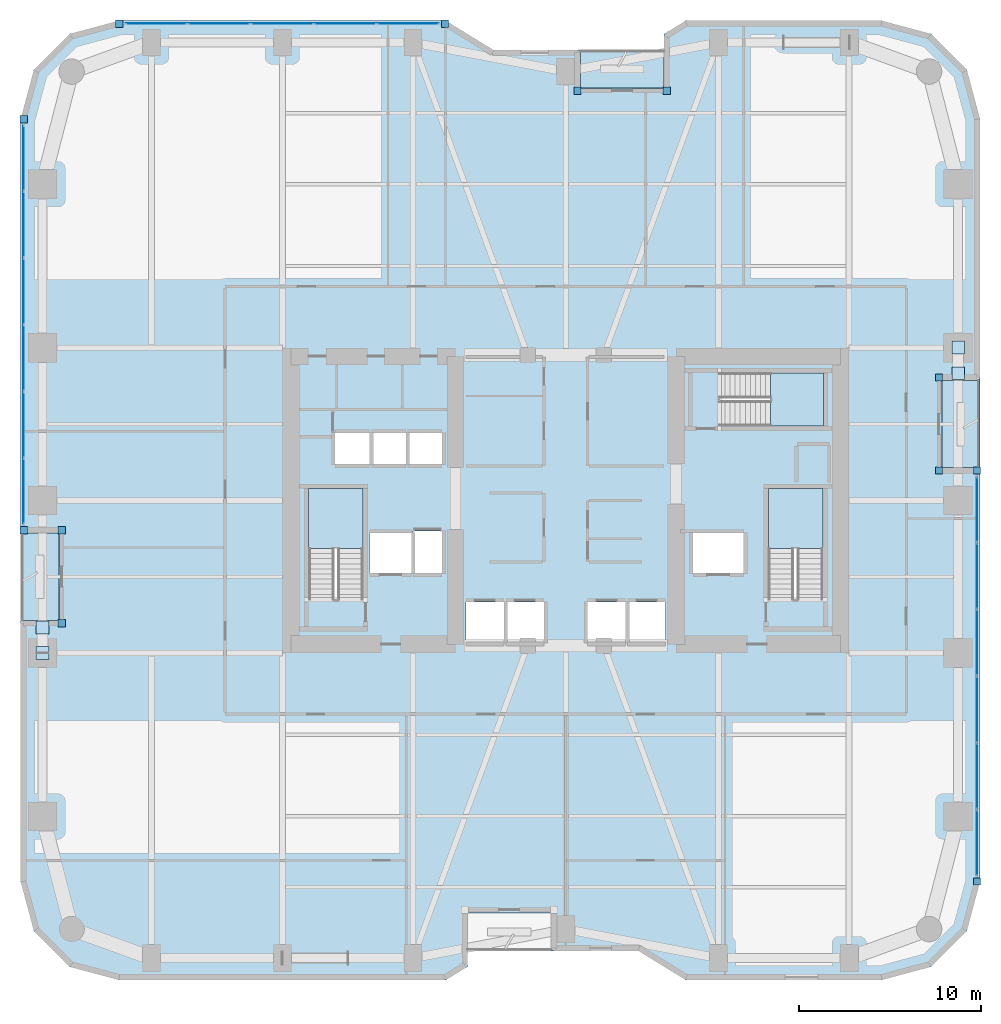
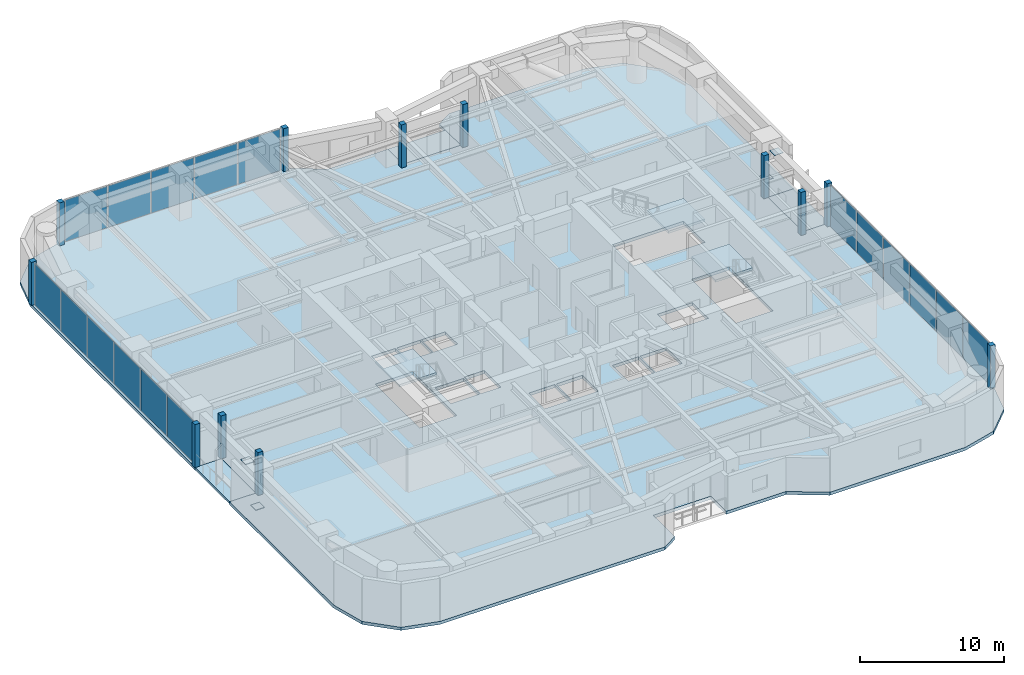
# One storey, part 16 of 24: 33 plates, 7 slabs, 6 elements without a shape of their own.
"""IFC4 building model written with IfcOpenShell, lengths in metres."""

from ifc_helpers import new_model, si_unit, direction, frame, origin, origin_2d, place, context, subcontext, project, spatial, polyline, rectangle, outline, extrude, material, layer, layer_set, type_object, element, aggregate, save


model = new_model("IFC4")

# Units and contexts
model_context = context("Model", 3, precision=1e-05, world=origin(), true_north=direction((0.0, 1.0)))
body_context = subcontext(model_context, "Body", "Model", "MODEL_VIEW")
ifc_project = project(units=[si_unit("LENGTHUNIT", "METRE"), si_unit("AREAUNIT", "SQUARE_METRE"), si_unit("VOLUMEUNIT", "CUBIC_METRE"), si_unit("PLANEANGLEUNIT", "RADIAN"), si_unit("MASSUNIT", "GRAM", prefix="KILO")], contexts=[model_context])

# Site, building, storey
site_placement = place(None, origin())
site = spatial("IfcSite", under=ifc_project, at=site_placement, CompositionType="ELEMENT")
building_placement = place(site_placement, origin())
building = spatial("IfcBuilding", under=site, at=building_placement, Name="Kiyonajd Concourse Tower", CompositionType="ELEMENT")
storey_placement = place(building_placement, frame((0.0, 0.0, 85.800048828125)))
storey = spatial("IfcBuildingStorey", under=building, at=storey_placement, Name="L22", CompositionType="ELEMENT", Elevation=85.800048828125)

# Plates
ifc_material_1 = material(Name="Steel ASTM A572 Grade 50", Category="steel")
ifc_layer_1 = layer(ifc_material_1, 0.028076171875)
ifc_layer_set_1 = layer_set([ifc_layer_1], Name="Steel ASTM A572 Grade 50")
plate_type_1 = type_object("IfcPlateType", Name="PL-CAP-450", PredefinedType="USERDEFINED", material=ifc_layer_set_1)
for number, where, z_axis, x_axis, name in (
    (1, (19.199951171875, 27.59521484375, 0.27587890625), (0.0, 0.0, 1.0), (1.0, 0.0, 0.0), "L22 Hollow Brace End Cap Plate PBW"),
    (2, (19.199951171875, 29.004638671875, 3.2861328125), (0.0, 0.0, 1.0), (1.0, 0.0, 0.0), "L22 Hollow Brace Top Cap Plate PBW"),
    (3, (69.60009765625, 44.40478515625, 0.27587890625), (0.0, 0.0, 1.0), (1.0, 0.0, 0.0), "L22 Hollow Brace End Cap Plate PBE"),
    (4, (69.60009765625, 42.995361328125, 3.2861328125), (0.0, 0.0, 1.0), (1.0, 0.0, 0.0), "L22 Hollow Brace Top Cap Plate PBE"),
):
    element("IfcPlate", number, at=place(storey_placement, frame(where, z_axis=z_axis, x_axis=x_axis)), inside=storey, type_object=plate_type_1, Name=name, ObjectType="CAP PLATE", PredefinedType="USERDEFINED", context=body_context, shape_type="SweptSolid", body=[
        extrude(rectangle(XDim=0.7099609375, YDim=0.7099609375, at=origin_2d()), origin(), (0.0, 0.0, 1.0), 0.028076171875),
    ])

# Curtain wall, plates
ifc_material_2 = material(Name="Thermally Broken Anodised Aluminium", Category="aluminium")
ifc_layer_2 = layer(ifc_material_2, 0.179931640625)
ifc_layer_set_2 = layer_set([ifc_layer_2], Name="Thermally Broken Anodised Aluminium")
curtain_wall_type = type_object("IfcCurtainWallType", Name="CW-SYS-03", PredefinedType="NOTDEFINED", material=ifc_layer_set_2)
curtain_wall_1_placement = place(storey_placement, origin())
curtain_wall_1 = element("IfcCurtainWall", 5, at=curtain_wall_1_placement, inside=storey, type_object=curtain_wall_type, Name="L22 Unitised Curtain Wall CW3", PredefinedType="NOTDEFINED")
ifc_material_3 = material(Name="Double Low-E Insulated Glass", Category="glass")
ifc_layer_3 = layer(ifc_material_3, 0.033935546875)
ifc_layer_set_3 = layer_set([ifc_layer_3], Name="Double Low-E Insulated Glass")
plate_type_2 = type_object("IfcPlateType", Name="PL-CW-VIS34", PredefinedType="CURTAIN_PANEL", material=ifc_layer_set_3)
plate_1_placement = place(storey_placement, frame((18.159912109375, 36.5029296875, 0.06494140625), z_axis=(0.0, 0.0, 1.0), x_axis=(0.0, 1.0, 0.0)))
plate_1 = element("IfcPlate", 6, at=plate_1_placement, type_object=plate_type_2, Name="CW3 panel 1.1", PredefinedType="CURTAIN_PANEL", context=body_context, shape_type="SweptSolid", body=[
    extrude(rectangle(XDim=3.57568359375, YDim=0.033935546875, at=origin_2d()), origin(), (0.0, 0.0, 1.0), 3.510009765625),
])
plate_2_placement = place(storey_placement, frame((18.159912109375, 40.15966796875, 0.06494140625), z_axis=(0.0, 0.0, 1.0), x_axis=(0.0, 1.0, 0.0)))
plate_2 = element("IfcPlate", 7, at=plate_2_placement, type_object=plate_type_2, Name="CW3 panel 2.1", PredefinedType="CURTAIN_PANEL", context=body_context, shape_type="SweptSolid", body=[
    extrude(rectangle(XDim=3.608154296875, YDim=0.033935546875, at=origin_2d()), origin(), (0.0, 0.0, 1.0), 3.510009765625),
])
plate_3_placement = place(storey_placement, frame((18.159912109375, 43.832763671875, 0.06494140625), z_axis=(0.0, 0.0, 1.0), x_axis=(0.0, 1.0, 0.0)))
plate_3 = element("IfcPlate", 8, at=plate_3_placement, type_object=plate_type_2, Name="CW3 panel 3.1", PredefinedType="CURTAIN_PANEL", context=body_context, shape_type="SweptSolid", body=[
    extrude(rectangle(XDim=3.608154296875, YDim=0.033935546875, at=origin_2d()), origin(), (0.0, 0.0, 1.0), 3.510009765625),
])
plate_4_placement = place(storey_placement, frame((18.159912109375, 47.506103515625, 0.06494140625), z_axis=(0.0, 0.0, 1.0), x_axis=(0.0, 1.0, 0.0)))
plate_4 = element("IfcPlate", 9, at=plate_4_placement, type_object=plate_type_2, Name="CW3 panel 4.1", PredefinedType="CURTAIN_PANEL", context=body_context, shape_type="SweptSolid", body=[
    extrude(rectangle(XDim=3.608154296875, YDim=0.033935546875, at=origin_2d()), origin(), (0.0, 0.0, 1.0), 3.510009765625),
])
plate_5_placement = place(storey_placement, frame((18.159912109375, 51.17919921875, 0.06494140625), z_axis=(0.0, 0.0, 1.0), x_axis=(0.0, 1.0, 0.0)))
plate_5 = element("IfcPlate", 10, at=plate_5_placement, type_object=plate_type_2, Name="CW3 panel 5.1", PredefinedType="CURTAIN_PANEL", context=body_context, shape_type="SweptSolid", body=[
    extrude(rectangle(XDim=3.608154296875, YDim=0.033935546875, at=origin_2d()), origin(), (0.0, 0.0, 1.0), 3.510009765625),
])
plate_6_placement = place(storey_placement, frame((18.159912109375, 54.836181640625, 0.06494140625), z_axis=(0.0, 0.0, 1.0), x_axis=(0.0, 1.0, 0.0)))
plate_6 = element("IfcPlate", 11, at=plate_6_placement, type_object=plate_type_2, Name="CW3 panel 6.1", PredefinedType="CURTAIN_PANEL", context=body_context, shape_type="SweptSolid", body=[
    extrude(rectangle(XDim=3.57568359375, YDim=0.033935546875, at=origin_2d()), origin(), (0.0, 0.0, 1.0), 3.510009765625),
])
aggregate(curtain_wall_1, [plate_1, plate_2, plate_3, plate_4, plate_5, plate_6])

curtain_wall_2_placement = place(storey_placement, origin())
curtain_wall_2 = element("IfcCurtainWall", 12, at=curtain_wall_2_placement, inside=storey, type_object=curtain_wall_type, Name="L22 Unitised Curtain Wall CW3", PredefinedType="NOTDEFINED")
plate_7_placement = place(storey_placement, frame((25.462646484375, 62.239990234375, 0.06494140625), z_axis=(0.0, 0.0, 1.0), x_axis=(1.0, 0.0, 0.0)))
plate_7 = element("IfcPlate", 13, at=plate_7_placement, type_object=plate_type_2, Name="CW3 panel 1.1", PredefinedType="CURTAIN_PANEL", context=body_context, shape_type="SweptSolid", body=[
    extrude(rectangle(XDim=3.373291015625, YDim=0.033935546875, at=origin_2d()), origin(), (0.0, 0.0, 1.0), 3.510009765625),
])
plate_8_placement = place(storey_placement, frame((28.917236328125, 62.239990234375, 0.06494140625), z_axis=(0.0, 0.0, 1.0), x_axis=(1.0, 0.0, 0.0)))
plate_8 = element("IfcPlate", 14, at=plate_8_placement, type_object=plate_type_2, Name="CW3 panel 2.1", PredefinedType="CURTAIN_PANEL", context=body_context, shape_type="SweptSolid", body=[
    extrude(rectangle(XDim=3.40576171875, YDim=0.033935546875, at=origin_2d()), origin(), (0.0, 0.0, 1.0), 3.510009765625),
])
plate_9_placement = place(storey_placement, frame((32.387939453125, 62.239990234375, 0.06494140625), z_axis=(0.0, 0.0, 1.0), x_axis=(1.0, 0.0, 0.0)))
plate_9 = element("IfcPlate", 15, at=plate_9_placement, type_object=plate_type_2, Name="CW3 panel 3.1", PredefinedType="CURTAIN_PANEL", context=body_context, shape_type="SweptSolid", body=[
    extrude(rectangle(XDim=3.40576171875, YDim=0.033935546875, at=origin_2d()), origin(), (0.0, 0.0, 1.0), 3.510009765625),
])
plate_10_placement = place(storey_placement, frame((35.858642578125, 62.239990234375, 0.06494140625), z_axis=(0.0, 0.0, 1.0), x_axis=(1.0, 0.0, 0.0)))
plate_10 = element("IfcPlate", 16, at=plate_10_placement, type_object=plate_type_2, Name="CW3 panel 4.1", PredefinedType="CURTAIN_PANEL", context=body_context, shape_type="SweptSolid", body=[
    extrude(rectangle(XDim=3.40576171875, YDim=0.033935546875, at=origin_2d()), origin(), (0.0, 0.0, 1.0), 3.510009765625),
])
plate_11_placement = place(storey_placement, frame((39.31298828125, 62.239990234375, 0.06494140625), z_axis=(0.0, 0.0, 1.0), x_axis=(1.0, 0.0, 0.0)))
plate_11 = element("IfcPlate", 17, at=plate_11_placement, type_object=plate_type_2, Name="CW3 panel 5.1", PredefinedType="CURTAIN_PANEL", context=body_context, shape_type="SweptSolid", body=[
    extrude(rectangle(XDim=3.373291015625, YDim=0.033935546875, at=origin_2d()), origin(), (0.0, 0.0, 1.0), 3.510009765625),
])
aggregate(curtain_wall_2, [plate_7, plate_8, plate_9, plate_10, plate_11])

curtain_wall_3_placement = place(storey_placement, origin())
curtain_wall_3 = element("IfcCurtainWall", 18, at=curtain_wall_3_placement, inside=storey, type_object=curtain_wall_type, Name="L22 Unitised Curtain Wall CW3", PredefinedType="NOTDEFINED")
plate_12_placement = place(storey_placement, frame((70.639892578125, 35.4970703125, 0.06494140625), z_axis=(0.0, 0.0, 1.0), x_axis=(0.0, -1.0, 0.0)))
plate_12 = element("IfcPlate", 19, at=plate_12_placement, type_object=plate_type_2, Name="CW3 panel 1.1", PredefinedType="CURTAIN_PANEL", context=body_context, shape_type="SweptSolid", body=[
    extrude(rectangle(XDim=3.57568359375, YDim=0.033935546875, at=origin_2d()), origin(), (0.0, 0.0, 1.0), 3.510009765625),
])
plate_13_placement = place(storey_placement, frame((70.639892578125, 31.84033203125, 0.06494140625), z_axis=(0.0, 0.0, 1.0), x_axis=(0.0, -1.0, 0.0)))
plate_13 = element("IfcPlate", 20, at=plate_13_placement, type_object=plate_type_2, Name="CW3 panel 2.1", PredefinedType="CURTAIN_PANEL", context=body_context, shape_type="SweptSolid", body=[
    extrude(rectangle(XDim=3.608154296875, YDim=0.033935546875, at=origin_2d()), origin(), (0.0, 0.0, 1.0), 3.510009765625),
])
plate_14_placement = place(storey_placement, frame((70.639892578125, 28.167236328125, 0.06494140625), z_axis=(0.0, 0.0, 1.0), x_axis=(0.0, -1.0, 0.0)))
plate_14 = element("IfcPlate", 21, at=plate_14_placement, type_object=plate_type_2, Name="CW3 panel 3.1", PredefinedType="CURTAIN_PANEL", context=body_context, shape_type="SweptSolid", body=[
    extrude(rectangle(XDim=3.608154296875, YDim=0.033935546875, at=origin_2d()), origin(), (0.0, 0.0, 1.0), 3.510009765625),
])
plate_15_placement = place(storey_placement, frame((70.639892578125, 24.493896484375, 0.06494140625), z_axis=(0.0, 0.0, 1.0), x_axis=(0.0, -1.0, 0.0)))
plate_15 = element("IfcPlate", 22, at=plate_15_placement, type_object=plate_type_2, Name="CW3 panel 4.1", PredefinedType="CURTAIN_PANEL", context=body_context, shape_type="SweptSolid", body=[
    extrude(rectangle(XDim=3.608154296875, YDim=0.033935546875, at=origin_2d()), origin(), (0.0, 0.0, 1.0), 3.510009765625),
])
plate_16_placement = place(storey_placement, frame((70.639892578125, 20.82080078125, 0.06494140625), z_axis=(0.0, 0.0, 1.0), x_axis=(0.0, -1.0, 0.0)))
plate_16 = element("IfcPlate", 23, at=plate_16_placement, type_object=plate_type_2, Name="CW3 panel 5.1", PredefinedType="CURTAIN_PANEL", context=body_context, shape_type="SweptSolid", body=[
    extrude(rectangle(XDim=3.608154296875, YDim=0.033935546875, at=origin_2d()), origin(), (0.0, 0.0, 1.0), 3.510009765625),
])
plate_17_placement = place(storey_placement, frame((70.639892578125, 17.163818359375, 0.06494140625), z_axis=(0.0, 0.0, 1.0), x_axis=(0.0, -1.0, 0.0)))
plate_17 = element("IfcPlate", 24, at=plate_17_placement, type_object=plate_type_2, Name="CW3 panel 6.1", PredefinedType="CURTAIN_PANEL", context=body_context, shape_type="SweptSolid", body=[
    extrude(rectangle(XDim=3.57568359375, YDim=0.033935546875, at=origin_2d()), origin(), (0.0, 0.0, 1.0), 3.510009765625),
])
aggregate(curtain_wall_3, [plate_12, plate_13, plate_14, plate_15, plate_16, plate_17])

# Plates
ifc_layer_4 = layer(ifc_material_2, 0.39990234375)
ifc_layer_set_4 = layer_set([ifc_layer_4], Name="Thermally Broken Anodised Aluminium")
plate_type_3 = type_object("IfcPlateType", Name="PL-JMB-400", PredefinedType="USERDEFINED", material=ifc_layer_set_4)
for number, where, z_axis, x_axis, name in (
    (25, (20.260009765625, 29.239990234375, 0.0), (0.0, 0.0, 1.0), (1.0, 0.0, 0.0), "L22 Facade Jamb Closure Plate 01"),
    (26, (20.260009765625, 34.360107421875, 0.0), (0.0, 0.0, 1.0), (1.0, 0.0, 0.0), "L22 Facade Jamb Closure Plate 02"),
    (27, (18.159912109375, 34.360107421875, 0.0), (0.0, 0.0, 1.0), (1.0, 0.0, 0.0), "L22 Facade Jamb Closure Plate 03"),
    (28, (18.159912109375, 56.97900390625, 0.0), (0.0, 0.0, 1.0), (1.0, 0.0, 0.0), "L22 Facade Jamb Closure Plate 04"),
    (29, (23.421142578125, 62.239990234375, 0.0), (0.0, 0.0, 1.0), (1.0, 0.0, 0.0), "L22 Facade Jamb Closure Plate 05"),
    (30, (41.354736328125, 62.239990234375, 0.0), (0.0, 0.0, 1.0), (1.0, 0.0, 0.0), "L22 Facade Jamb Closure Plate 06"),
    (31, (48.639892578125, 58.5400390625, 0.0), (0.0, 0.0, 1.0), (1.0, 0.0, 0.0), "L22 Facade Jamb Closure Plate 07"),
    (32, (53.56005859375, 58.5400390625, 0.0), (0.0, 0.0, 1.0), (1.0, 0.0, 0.0), "L22 Facade Jamb Closure Plate 08"),
    (33, (68.5400390625, 42.760009765625, 0.0), (0.0, 0.0, 1.0), (1.0, 0.0, 0.0), "L22 Facade Jamb Closure Plate 09"),
    (34, (68.5400390625, 37.639892578125, 0.0), (0.0, 0.0, 1.0), (1.0, 0.0, 0.0), "L22 Facade Jamb Closure Plate 10"),
    (35, (70.639892578125, 37.639892578125, 0.0), (0.0, 0.0, 1.0), (1.0, 0.0, 0.0), "L22 Facade Jamb Closure Plate 11"),
    (36, (70.639892578125, 15.02099609375, 0.0), (0.0, 0.0, 1.0), (1.0, 0.0, 0.0), "L22 Facade Jamb Closure Plate 12"),
):
    element("IfcPlate", number, at=place(storey_placement, frame(where, z_axis=z_axis, x_axis=x_axis)), inside=storey, type_object=plate_type_3, Name=name, ObjectType="JAMB PLATE", PredefinedType="USERDEFINED", context=body_context, shape_type="SweptSolid", body=[
        extrude(rectangle(XDim=0.39990234375, YDim=0.39990234375, at=origin_2d()), origin(), (0.0, 0.0, 1.0), 3.639892578125),
    ])

# Stair, slab
ifc_material_4 = material(Name="Concrete C40/50", Category="concrete")
stair_type = type_object("IfcStairType", Name="ST-DLG-22R", PredefinedType="HALF_TURN_STAIR", material=ifc_material_4)
stair_1_placement = place(storey_placement, origin())
stair_1 = element("IfcStair", 37, at=stair_1_placement, inside=storey, type_object=stair_type, Name="L22 Protected Exit Stair ST1", PredefinedType="HALF_TURN_STAIR")
ifc_layer_5 = layer(ifc_material_4, 0.199951171875)
ifc_layer_set_5 = layer_set([ifc_layer_5], Name="Concrete C40/50")
slab_type_1 = type_object("IfcSlabType", Name="SL-LND-200", PredefinedType="LANDING", material=ifc_layer_set_5)
slab_1_placement = place(storey_placement, frame((0.0, 0.0, 1.75)))
slab_1 = element("IfcSlab", 38, at=slab_1_placement, type_object=slab_type_1, Name="ST1 landing 1", PredefinedType="LANDING", context=body_context, shape_type="SweptSolid", body=[
    extrude(outline(polyline([(36.85009765625, 33.35009765625), (36.85009765625, 36.64990234375), (33.85009765625, 36.64990234375), (33.85009765625, 33.35009765625), (36.85009765625, 33.35009765625)])), origin(), (0.0, 0.0, 1.0), 0.199951171875),
])
aggregate(stair_1, [slab_1])

stair_2_placement = place(storey_placement, origin())
stair_2 = element("IfcStair", 39, at=stair_2_placement, inside=storey, type_object=stair_type, Name="L22 Protected Exit Stair ST2", PredefinedType="HALF_TURN_STAIR")
slab_2_placement = place(storey_placement, frame((0.0, 0.0, 1.75)))
slab_2 = element("IfcSlab", 40, at=slab_2_placement, type_object=slab_type_1, Name="ST2 landing 1", PredefinedType="LANDING", context=body_context, shape_type="SweptSolid", body=[
    extrude(outline(polyline([(62.14990234375, 33.35009765625), (62.14990234375, 36.64990234375), (59.14990234375, 36.64990234375), (59.14990234375, 33.35009765625), (62.14990234375, 33.35009765625)])), origin(), (0.0, 0.0, 1.0), 0.199951171875),
])
aggregate(stair_2, [slab_2])

stair_3_placement = place(storey_placement, origin())
stair_3 = element("IfcStair", 41, at=stair_3_placement, inside=storey, type_object=stair_type, Name="L22 Protected Exit Stair ST3", PredefinedType="HALF_TURN_STAIR")
slab_3_placement = place(storey_placement, frame((0.0, 0.0, 1.75)))
slab_3 = element("IfcSlab", 42, at=slab_3_placement, type_object=slab_type_1, Name="ST3 landing 1", PredefinedType="LANDING", context=body_context, shape_type="SweptSolid", body=[
    extrude(outline(polyline([(59.280029296875, 40.080078125), (62.179931640625, 40.080078125), (62.179931640625, 43.02001953125), (59.280029296875, 43.02001953125), (59.280029296875, 40.080078125)])), origin(), (0.0, 0.0, 1.0), 0.199951171875),
])
aggregate(stair_3, [slab_3])

# Slabs
ifc_material_5 = material(Name="Precast concrete C50/60", Category="concrete")
ifc_layer_6 = layer(ifc_material_5, 0.199951171875)
ifc_layer_set_6 = layer_set([ifc_layer_6], Name="Precast concrete C50/60")
slab_type_2 = type_object("IfcSlabType", Name="SL-LOG-200", PredefinedType="FLOOR", material=ifc_layer_set_6)
slab_4_placement = place(storey_placement, frame((0.0, 0.0, -0.199951171875)))
element("IfcSlab", 43, at=slab_4_placement, inside=storey, type_object=slab_type_2, Name="L22 Recessed Engawa Loggia Terrace Slab LOG-N", PredefinedType="FLOOR", context=body_context, shape_type="SweptSolid", body=[
    extrude(outline(polyline([(48.800048828125, 58.699951171875), (53.39990234375, 58.699951171875), (53.39990234375, 60.800048828125), (48.800048828125, 60.800048828125), (48.800048828125, 58.699951171875)])), origin(), (0.0, 0.0, 1.0), 0.199951171875),
])
slab_5_placement = place(storey_placement, frame((0.0, 0.0, -0.199951171875)))
element("IfcSlab", 44, at=slab_5_placement, inside=storey, type_object=slab_type_2, Name="L22 Recessed Engawa Loggia Terrace Slab LOG-W", PredefinedType="FLOOR", context=body_context, shape_type="SweptSolid", body=[
    extrude(outline(polyline([(18.0, 29.39990234375), (20.10009765625, 29.39990234375), (20.10009765625, 34.199951171875), (18.0, 34.199951171875), (18.0, 29.39990234375)])), origin(), (0.0, 0.0, 1.0), 0.199951171875),
])
slab_6_placement = place(storey_placement, frame((0.0, 0.0, -0.199951171875)))
element("IfcSlab", 45, at=slab_6_placement, inside=storey, type_object=slab_type_2, Name="L22 Recessed Engawa Loggia Terrace Slab LOG-E", PredefinedType="FLOOR", context=body_context, shape_type="SweptSolid", body=[
    extrude(outline(polyline([(68.699951171875, 37.800048828125), (70.800048828125, 37.800048828125), (70.800048828125, 42.60009765625), (68.699951171875, 42.60009765625), (68.699951171875, 37.800048828125)])), origin(), (0.0, 0.0, 1.0), 0.199951171875),
])
ifc_layer_7 = layer(ifc_material_4, 0.260009765625)
ifc_layer_set_7 = layer_set([ifc_layer_7], Name="Concrete C40/50")
slab_type_3 = type_object("IfcSlabType", Name="SL-TWR-260", PredefinedType="FLOOR", material=ifc_layer_set_7)
slab_7_placement = place(storey_placement, frame((0.0, 0.0, -0.260009765625)))
element("IfcSlab", 46, at=slab_7_placement, inside=storey, type_object=slab_type_3, Name="L22 Tower Conditioned Floor Slab", PredefinedType="FLOOR", context=body_context, shape_type="SweptSolid", body=[
    extrude(outline(polyline([(18.722900390625, 12.300048828125), (18.0, 15.0), (18.0, 29.39990234375), (20.10009765625, 29.39990234375), (20.10009765625, 34.199951171875), (18.0, 34.199951171875), (18.0, 57.0), (18.722900390625, 59.699951171875), (20.699951171875, 61.677001953125), (23.39990234375, 62.39990234375), (41.39990234375, 62.39990234375), (44.0, 60.800048828125), (48.800048828125, 60.800048828125), (48.800048828125, 58.699951171875), (53.39990234375, 58.699951171875), (53.39990234375, 61.662109375), (54.60009765625, 62.39990234375), (65.39990234375, 62.39990234375), (68.10009765625, 61.677001953125), (70.076904296875, 59.699951171875), (70.800048828125, 57.0), (70.800048828125, 42.60009765625), (68.699951171875, 42.60009765625), (68.699951171875, 37.800048828125), (70.800048828125, 37.800048828125), (70.800048828125, 15.0), (70.076904296875, 12.300048828125), (68.10009765625, 10.322998046875), (65.39990234375, 9.60009765625), (54.60009765625, 9.60009765625), (52.0, 11.199951171875), (47.199951171875, 11.199951171875), (47.199951171875, 13.300048828125), (42.60009765625, 13.300048828125), (42.60009765625, 10.337890625), (41.39990234375, 9.60009765625), (23.39990234375, 9.60009765625), (20.699951171875, 10.322998046875), (18.722900390625, 12.300048828125)]), holes=[polyline([(44.60009765625, 28.199951171875), (42.5, 28.199951171875), (42.5, 30.39990234375), (44.60009765625, 30.39990234375), (44.60009765625, 28.199951171875)]), polyline([(37.199951171875, 32.0), (37.199951171875, 34.199951171875), (39.5, 34.199951171875), (39.5, 32.0), (37.199951171875, 32.0)]), polyline([(39.60009765625, 32.0), (39.60009765625, 34.300048828125), (41.199951171875, 34.300048828125), (41.199951171875, 32.0), (39.60009765625, 32.0)]), polyline([(36.85009765625, 30.550048828125), (33.85009765625, 30.550048828125), (33.85009765625, 36.64990234375), (36.85009765625, 36.64990234375), (36.85009765625, 30.550048828125)]), polyline([(35.300048828125, 38.0), (35.300048828125, 39.699951171875), (37.199951171875, 39.699951171875), (37.199951171875, 38.0), (35.300048828125, 38.0)]), polyline([(37.300048828125, 38.0), (37.300048828125, 39.699951171875), (39.199951171875, 39.699951171875), (39.199951171875, 38.0), (37.300048828125, 38.0)]), polyline([(41.199951171875, 38.0), (39.300048828125, 38.0), (39.300048828125, 39.699951171875), (41.199951171875, 39.699951171875), (41.199951171875, 38.0)]), polyline([(44.699951171875, 28.199951171875), (44.699951171875, 30.39990234375), (46.800048828125, 30.39990234375), (46.800048828125, 28.199951171875), (44.699951171875, 28.199951171875)]), polyline([(49.199951171875, 28.199951171875), (49.199951171875, 30.39990234375), (51.300048828125, 30.39990234375), (51.300048828125, 28.199951171875), (49.199951171875, 28.199951171875)]), polyline([(51.39990234375, 28.199951171875), (51.39990234375, 30.39990234375), (53.5, 30.39990234375), (53.5, 28.199951171875), (51.39990234375, 28.199951171875)]), polyline([(55.0, 32.0), (55.0, 34.199951171875), (57.800048828125, 34.199951171875), (57.800048828125, 32.0), (55.0, 32.0)]), polyline([(59.14990234375, 30.550048828125), (59.14990234375, 36.64990234375), (62.14990234375, 36.64990234375), (62.14990234375, 30.550048828125), (59.14990234375, 30.550048828125)]), polyline([(56.47998046875, 43.02001953125), (62.179931640625, 43.02001953125), (62.179931640625, 40.080078125), (56.47998046875, 40.080078125), (56.47998046875, 43.02001953125)])]), origin(), (0.0, 0.0, 1.0), 0.260009765625),
])

save(model, "model.ifc")
